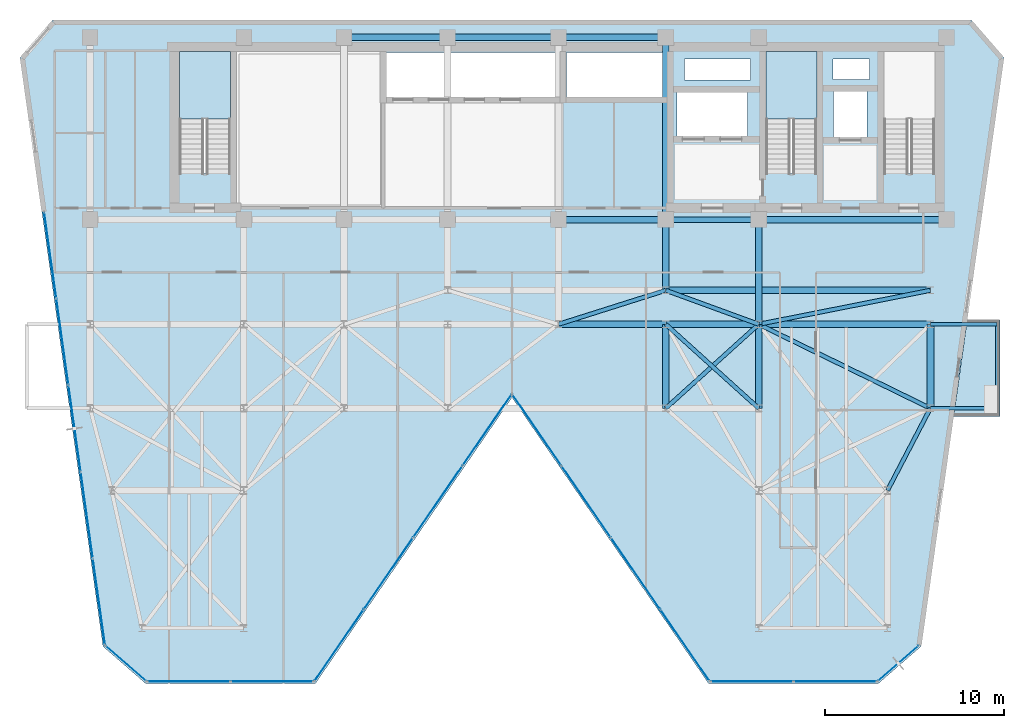
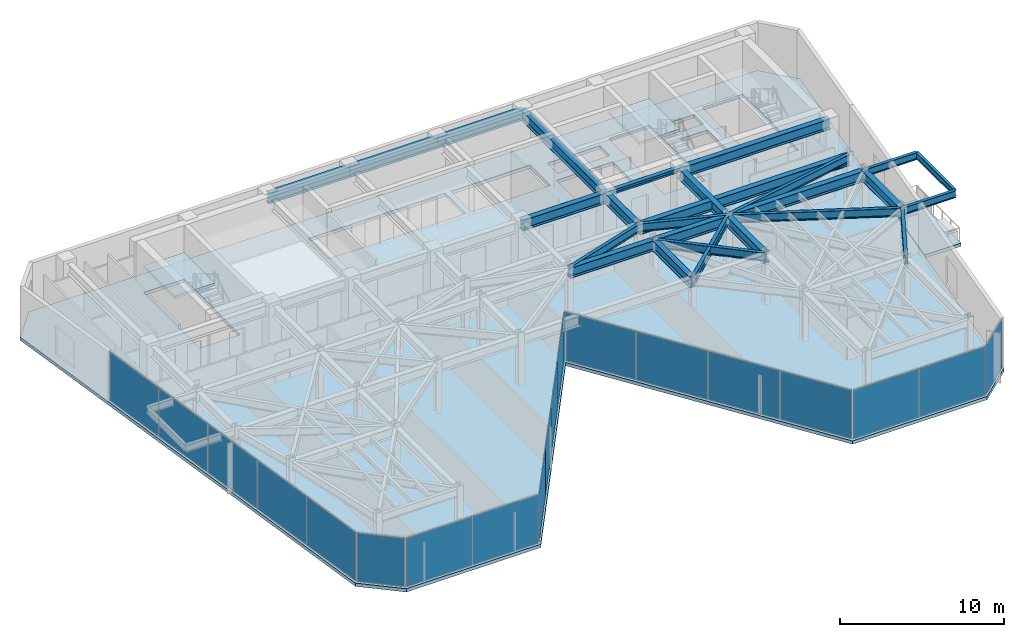
# One storey, part 21 of 26: 26 beams, 19 plates, 4 slabs, 9 elements without a shape of their own.
"""IFC4 building model written with IfcOpenShell, lengths in metres."""

from ifc_helpers import new_model, si_unit, direction, frame, origin, origin_2d, place, context, subcontext, project, spatial, polyline, rectangle, i_section, outline, extrude, material, layer, layer_set, material_profile, profile_set, type_object, element, aggregate, save


model = new_model("IFC4")

# Units and contexts
model_context = context("Model", 3, precision=1e-05, world=origin(), true_north=direction((0.0, 1.0)))
body_context = subcontext(model_context, "Body", "Model", "MODEL_VIEW")
ifc_project = project(units=[si_unit("LENGTHUNIT", "METRE"), si_unit("AREAUNIT", "SQUARE_METRE"), si_unit("VOLUMEUNIT", "CUBIC_METRE"), si_unit("PLANEANGLEUNIT", "RADIAN"), si_unit("MASSUNIT", "GRAM", prefix="KILO")], contexts=[model_context])

# Site, building, storey
site_placement = place(None, origin())
site = spatial("IfcSite", under=ifc_project, at=site_placement, CompositionType="ELEMENT")
building_placement = place(site_placement, origin())
building = spatial("IfcBuilding", under=site, at=building_placement, Name="Kravanh Interchange Tower", CompositionType="ELEMENT")
storey_placement = place(building_placement, frame((0.0, 0.0, 180.5)))
storey = spatial("IfcBuildingStorey", under=building, at=storey_placement, Name="L43", CompositionType="ELEMENT", Elevation=180.5)

# Beams
ifc_material_1 = material(Name="Structural Steel S355", Category="steel")
ifc_material_profile_1 = material_profile(ifc_material_1, i_section(OverallWidth=0.381103515625, OverallDepth=0.77294921875, WebThickness=0.0166015625, FlangeThickness=0.027099609375, FilletRadius=0.02490234375, at=origin_2d()), Name="W30X173")
ifc_profile_set_1 = profile_set([ifc_material_profile_1], Name="Structural Steel S355")
beam_type_1 = type_object("IfcBeamType", Name="Floor Beam W30X173 Structural Steel S355", PredefinedType="BEAM", material=ifc_profile_set_1)
beam_1_placement = place(storey_placement, frame((66.5, 37.35009765625, 3.368408203125), z_axis=(-1.0, 0.0, 0.0), x_axis=(0.0, -1.0, 0.0)))
element("IfcBeam", 1, at=beam_1_placement, inside=storey, type_object=beam_type_1, Name="L43 Primary Floor Girder 5", PredefinedType="BEAM", context=body_context, shape_type="SweptSolid", body=[
    extrude(i_section(OverallWidth=0.381103515625, OverallDepth=0.77294921875, WebThickness=0.0166015625, FlangeThickness=0.027099609375, FilletRadius=0.02490234375, at=origin_2d()), origin(), (0.0, 0.0, 1.0), 10.5),
])
beam_2_placement = place(storey_placement, frame((56.0, 37.35009765625, 3.368408203125), z_axis=(0.0, -1.0, 0.0), x_axis=(1.0, 0.0, 0.0)))
element("IfcBeam", 2, at=beam_2_placement, inside=storey, type_object=beam_type_1, Name="L43 Primary Floor Girder 7", PredefinedType="BEAM", context=body_context, shape_type="SweptSolid", body=[
    extrude(i_section(OverallWidth=0.381103515625, OverallDepth=0.77294921875, WebThickness=0.0166015625, FlangeThickness=0.027099609375, FilletRadius=0.02490234375, at=origin_2d()), origin(), (0.0, 0.0, 1.0), 5.85009765625),
])
beam_3_placement = place(storey_placement, frame((50.800048828125, 47.550048828125, 3.368408203125), z_axis=(-1.0, 0.0, 0.0), x_axis=(0.0, -1.0, 0.0)))
element("IfcBeam", 3, at=beam_3_placement, inside=storey, type_object=beam_type_1, Name="L43 Primary Floor Girder 8", PredefinedType="BEAM", context=body_context, shape_type="SweptSolid", body=[
    extrude(i_section(OverallWidth=0.381103515625, OverallDepth=0.77294921875, WebThickness=0.0166015625, FlangeThickness=0.027099609375, FilletRadius=0.02490234375, at=origin_2d()), origin(), (0.0, 0.0, 1.0), 6.0),
])
beam_4_placement = place(storey_placement, frame((50.800048828125, 47.550048828125, 3.368408203125), z_axis=(0.0, -1.0, 0.0), x_axis=(1.0, 0.0, 0.0)))
element("IfcBeam", 4, at=beam_4_placement, inside=storey, type_object=beam_type_1, Name="L43 Primary Floor Girder 9", PredefinedType="BEAM", context=body_context, shape_type="SweptSolid", body=[
    extrude(i_section(OverallWidth=0.381103515625, OverallDepth=0.77294921875, WebThickness=0.0166015625, FlangeThickness=0.027099609375, FilletRadius=0.02490234375, at=origin_2d()), origin(), (0.0, 0.0, 1.0), 10.199951171875),
])
beam_5_placement = place(storey_placement, frame((50.800048828125, 37.35009765625, 3.368408203125), z_axis=(0.0, -1.0, 0.0), x_axis=(1.0, 0.0, 0.0)))
element("IfcBeam", 5, at=beam_5_placement, inside=storey, type_object=beam_type_1, Name="L43 Primary Floor Girder 10", PredefinedType="BEAM", context=body_context, shape_type="SweptSolid", body=[
    extrude(i_section(OverallWidth=0.381103515625, OverallDepth=0.77294921875, WebThickness=0.0166015625, FlangeThickness=0.027099609375, FilletRadius=0.02490234375, at=origin_2d()), origin(), (0.0, 0.0, 1.0), 3.9501953125),
])
beam_6_placement = place(storey_placement, frame((50.800048828125, 37.35009765625, 3.368408203125), z_axis=(-1.0, 0.0, 0.0), x_axis=(0.0, -1.0, 0.0)))
element("IfcBeam", 6, at=beam_6_placement, inside=storey, type_object=beam_type_1, Name="L43 Primary Floor Girder 11", PredefinedType="BEAM", context=body_context, shape_type="SweptSolid", body=[
    extrude(i_section(OverallWidth=0.381103515625, OverallDepth=0.77294921875, WebThickness=0.0166015625, FlangeThickness=0.027099609375, FilletRadius=0.02490234375, at=origin_2d()), origin(), (0.0, 0.0, 1.0), 6.0),
])
beam_7_placement = place(storey_placement, frame((44.800048828125, 47.550048828125, 3.368408203125), z_axis=(-1.0, 0.0, 0.0), x_axis=(0.0, -1.0, 0.0)))
element("IfcBeam", 7, at=beam_7_placement, inside=storey, type_object=beam_type_1, Name="L43 Primary Floor Girder 15", PredefinedType="BEAM", context=body_context, shape_type="SweptSolid", body=[
    extrude(i_section(OverallWidth=0.381103515625, OverallDepth=0.77294921875, WebThickness=0.0166015625, FlangeThickness=0.027099609375, FilletRadius=0.02490234375, at=origin_2d()), origin(), (0.0, 0.0, 1.0), 6.199951171875),
])
beam_8_placement = place(storey_placement, frame((38.60009765625, 47.550048828125, 3.368408203125), z_axis=(-1.0, 0.0, 0.0), x_axis=(0.0, -1.0, 0.0)))
element("IfcBeam", 8, at=beam_8_placement, inside=storey, type_object=beam_type_1, Name="L43 Primary Floor Girder 19", PredefinedType="BEAM", context=body_context, shape_type="SweptSolid", body=[
    extrude(i_section(OverallWidth=0.381103515625, OverallDepth=0.77294921875, WebThickness=0.0166015625, FlangeThickness=0.027099609375, FilletRadius=0.02490234375, at=origin_2d()), origin(), (0.0, 0.0, 1.0), 5.800048828125),
])
for number, where, z_axis, x_axis, name in (
    (9, (50.800048828125, 26.800048828125, 3.368408203125), (0.0, 1.0, 0.0), (-1.0, 0.0, 0.0), "L43 Primary Floor Girder 49"),
    (10, (56.0, 26.800048828125, 3.368408203125), (0.0, 1.0, 0.0), (-1.0, 0.0, 0.0), "L43 Primary Floor Girder 54"),
    (11, (65.60009765625, 26.800048828125, 3.368408203125), (0.0, 1.0, 0.0), (-1.0, 0.0, 0.0), "L43 Primary Floor Girder 57"),
):
    element("IfcBeam", number, at=place(storey_placement, frame(where, z_axis=z_axis, x_axis=x_axis)), inside=storey, type_object=beam_type_1, Name=name, PredefinedType="BEAM", context=body_context, shape_type="SweptSolid", body=[
        extrude(i_section(OverallWidth=0.381103515625, OverallDepth=0.77294921875, WebThickness=0.0166015625, FlangeThickness=0.027099609375, FilletRadius=0.02490234375, at=origin_2d()), origin(), (0.0, 0.0, 1.0), 4.699951171875),
    ])
beam_9_placement = place(storey_placement, frame((44.800048828125, 31.5, 3.368408203125), z_axis=(1.0, 0.0, 0.0), x_axis=(0.0, 1.0, 0.0)))
element("IfcBeam", 12, at=beam_9_placement, inside=storey, type_object=beam_type_1, Name="L43 Primary Floor Girder 74", PredefinedType="BEAM", context=body_context, shape_type="SweptSolid", body=[
    extrude(i_section(OverallWidth=0.381103515625, OverallDepth=0.77294921875, WebThickness=0.0166015625, FlangeThickness=0.027099609375, FilletRadius=0.02490234375, at=origin_2d()), origin(), (0.0, 0.0, 1.0), 6.0),
])
beam_10_placement = place(storey_placement, frame((50.800048828125, 31.5, 3.368408203125), z_axis=(1.0, 0.0, 0.0), x_axis=(0.0, 1.0, 0.0)))
element("IfcBeam", 13, at=beam_10_placement, inside=storey, type_object=beam_type_1, Name="L43 Primary Floor Girder 77", PredefinedType="BEAM", context=body_context, shape_type="SweptSolid", body=[
    extrude(i_section(OverallWidth=0.381103515625, OverallDepth=0.77294921875, WebThickness=0.0166015625, FlangeThickness=0.027099609375, FilletRadius=0.02490234375, at=origin_2d()), origin(), (0.0, 0.0, 1.0), 5.199951171875),
])
beam_11_placement = place(storey_placement, frame((56.0, 31.5, 3.368408203125), z_axis=(1.0, 0.0, 0.0), x_axis=(0.0, 1.0, 0.0)))
element("IfcBeam", 14, at=beam_11_placement, inside=storey, type_object=beam_type_1, Name="L43 Primary Floor Girder 81", PredefinedType="BEAM", context=body_context, shape_type="SweptSolid", body=[
    extrude(i_section(OverallWidth=0.381103515625, OverallDepth=0.77294921875, WebThickness=0.0166015625, FlangeThickness=0.027099609375, FilletRadius=0.02490234375, at=origin_2d()), origin(), (0.0, 0.0, 1.0), 9.60009765625),
])
beam_12_placement = place(storey_placement, frame((50.800048828125, 33.39990234375, 3.368408203125), z_axis=(1.0, 0.0, 0.0), x_axis=(0.0, 1.0, 0.0)))
element("IfcBeam", 15, at=beam_12_placement, inside=storey, type_object=beam_type_1, Name="L43 Primary Floor Girder 95", PredefinedType="BEAM", context=body_context, shape_type="SweptSolid", body=[
    extrude(i_section(OverallWidth=0.381103515625, OverallDepth=0.77294921875, WebThickness=0.0166015625, FlangeThickness=0.027099609375, FilletRadius=0.02490234375, at=origin_2d()), origin(), (0.0, 0.0, 1.0), 14.800048828125),
])
ifc_material_2 = material(Name="Structural Steel S355", Category="steel")
ifc_material_profile_2 = material_profile(ifc_material_2, i_section(OverallWidth=0.18994140625, OverallDepth=0.45703125, WebThickness=0.009033203125, FlangeThickness=0.014404296875, FilletRadius=0.01806640625, at=origin_2d()), Name="W18X50")
ifc_profile_set_2 = profile_set([ifc_material_profile_2], Name="Structural Steel S355")
beam_type_2 = type_object("IfcBeamType", Name="Floor Joist W18X50 Structural Steel S355", PredefinedType="JOIST", material=ifc_profile_set_2)
beam_13_placement = place(storey_placement, frame((69.330078125, 26.800048828125, 3.526611328125), z_axis=(0.0, 1.0, 0.0), x_axis=(-1.0, 0.0, 0.0)))
element("IfcBeam", 16, at=beam_13_placement, inside=storey, type_object=beam_type_2, Name="L43 Balcony Edge Tie Beam E", PredefinedType="JOIST", context=body_context, shape_type="SweptSolid", body=[
    extrude(i_section(OverallWidth=0.18994140625, OverallDepth=0.45703125, WebThickness=0.009033203125, FlangeThickness=0.014404296875, FilletRadius=0.01806640625, at=origin_2d()), origin(), (0.0, 0.0, 1.0), 4.699951171875),
])
ifc_material_3 = material(Name="Structural Steel S355", Category="steel")
ifc_material_profile_3 = material_profile(ifc_material_3, i_section(OverallWidth=0.304931640625, OverallDepth=0.306884765625, WebThickness=0.010009765625, FlangeThickness=0.015380859375, FilletRadius=0.014892578125, at=origin_2d()), Name="W12X65")
ifc_profile_set_3 = profile_set([ifc_material_profile_3], Name="Structural Steel S355")
beam_type_3 = type_object("IfcBeamType", Name="Floor Lintel W12X65 Structural Steel S355", PredefinedType="LINTEL", material=ifc_profile_set_3)
beam_14_placement = place(storey_placement, frame((50.800048828125, 37.35009765625, 3.6015625), z_axis=(1.0, 0.0, 0.0), x_axis=(0.0, 1.0, 0.0)))
element("IfcBeam", 17, at=beam_14_placement, inside=storey, type_object=beam_type_3, Name="L43 Core Coupling Lintel 1", PredefinedType="LINTEL", context=body_context, shape_type="SweptSolid", body=[
    extrude(i_section(OverallWidth=0.304931640625, OverallDepth=0.306884765625, WebThickness=0.010009765625, FlangeThickness=0.015380859375, FilletRadius=0.014892578125, at=origin_2d()), origin(), (0.0, 0.0, 1.0), 5.199951171875),
])
ifc_material_4 = material(Name="Structural Steel S355", Category="steel")
ifc_material_profile_4 = material_profile(ifc_material_4, i_section(OverallWidth=0.2099609375, OverallDepth=0.537109375, WebThickness=0.010986328125, FlangeThickness=0.017333984375, FilletRadius=0.02001953125, at=origin_2d()), Name="W21X68")
ifc_profile_set_4 = profile_set([ifc_material_profile_4], Name="Structural Steel S355")
beam_type_4 = type_object("IfcBeamType", Name="Floor Spandrel W21X68 Structural Steel S355", PredefinedType="SPANDREL", material=ifc_profile_set_4)
for number, where, z_axis, x_axis, name in (
    (18, (65.60009765625, 26.800048828125, 3.486572265625), (1.0, 0.0, 0.0), (0.0, 1.0, 0.0), "L43 Balcony Cantilever Outrigger E1"),
    (19, (65.60009765625, 31.5, 3.486572265625), (1.0, 0.0, 0.0), (0.0, 1.0, 0.0), "L43 Balcony Cantilever Outrigger E2"),
):
    element("IfcBeam", number, at=place(storey_placement, frame(where, z_axis=z_axis, x_axis=x_axis)), inside=storey, type_object=beam_type_4, Name=name, PredefinedType="SPANDREL", context=body_context, shape_type="SweptSolid", body=[
        extrude(i_section(OverallWidth=0.2099609375, OverallDepth=0.537109375, WebThickness=0.010986328125, FlangeThickness=0.017333984375, FilletRadius=0.02001953125, at=origin_2d()), origin(), (0.0, 0.0, 1.0), 3.72998046875),
    ])
ifc_material_5 = material(Name="Structural Steel S355", Category="steel")
ifc_material_profile_5 = material_profile(ifc_material_5, i_section(OverallWidth=0.22802734375, OverallDepth=0.60791015625, WebThickness=0.01123046875, FlangeThickness=0.017333984375, FilletRadius=0.02197265625, at=origin_2d()), Name="W24X76")
ifc_profile_set_5 = profile_set([ifc_material_profile_5], Name="Structural Steel S355")
beam_type_5 = type_object("IfcBeamType", Name="Floor Spandrel W24X76 Structural Steel S355", PredefinedType="SPANDREL", material=ifc_profile_set_5)
for number, where, z_axis, x_axis, name in (
    (20, (50.800048828125, 26.800048828125, 3.450927734375), (0.741874009795, 0.670539300557, 0.0), (-0.670539300557, 0.741874009795, 0.0), "L43 Perimeter Spandrel 52"),
    (21, (56.0, 26.800048828125, 3.450927734375), (-0.741874009795, 0.670539300557, 0.0), (-0.670539300557, -0.741874009795, 0.0), "L43 Perimeter Spandrel 55"),
):
    element("IfcBeam", number, at=place(storey_placement, frame(where, z_axis=z_axis, x_axis=x_axis)), inside=storey, type_object=beam_type_5, Name=name, PredefinedType="SPANDREL", context=body_context, shape_type="SweptSolid", body=[
        extrude(i_section(OverallWidth=0.22802734375, OverallDepth=0.60791015625, WebThickness=0.01123046875, FlangeThickness=0.017333984375, FilletRadius=0.02197265625, at=origin_2d()), origin(), (0.0, 0.0, 1.0), 7.00927734375),
    ])
beam_15_placement = place(storey_placement, frame((65.60009765625, 26.800048828125, 3.450927734375), z_axis=(-0.462580479178, -0.886577295155, 0.0), x_axis=(0.886577295155, -0.462580479178, 0.0)))
element("IfcBeam", 22, at=beam_15_placement, inside=storey, type_object=beam_type_5, Name="L43 Perimeter Spandrel 58", PredefinedType="SPANDREL", context=body_context, shape_type="SweptSolid", body=[
    extrude(i_section(OverallWidth=0.22802734375, OverallDepth=0.60791015625, WebThickness=0.01123046875, FlangeThickness=0.017333984375, FilletRadius=0.02197265625, at=origin_2d()), origin(), (0.0, 0.0, 1.0), 5.188720703125),
])
beam_16_placement = place(storey_placement, frame((65.60009765625, 26.800048828125, 3.450927734375), z_axis=(-0.898141688387, 0.439706160499, 0.0), x_axis=(-0.439706160499, -0.898141688387, 0.0)))
element("IfcBeam", 23, at=beam_16_placement, inside=storey, type_object=beam_type_5, Name="L43 Perimeter Spandrel 60", PredefinedType="SPANDREL", context=body_context, shape_type="SweptSolid", body=[
    extrude(i_section(OverallWidth=0.22802734375, OverallDepth=0.60791015625, WebThickness=0.01123046875, FlangeThickness=0.017333984375, FilletRadius=0.02197265625, at=origin_2d()), origin(), (0.0, 0.0, 1.0), 10.68896484375),
])
beam_17_placement = place(storey_placement, frame((44.800048828125, 31.5, 3.450927734375), z_axis=(0.953346691051, 0.301877602122, 0.0), x_axis=(-0.301877602122, 0.953346691051, 0.0)))
element("IfcBeam", 24, at=beam_17_placement, inside=storey, type_object=beam_type_5, Name="L43 Perimeter Spandrel 75", PredefinedType="SPANDREL", context=body_context, shape_type="SweptSolid", body=[
    extrude(i_section(OverallWidth=0.22802734375, OverallDepth=0.60791015625, WebThickness=0.01123046875, FlangeThickness=0.017333984375, FilletRadius=0.02197265625, at=origin_2d()), origin(), (0.0, 0.0, 1.0), 6.293701171875),
])
beam_18_placement = place(storey_placement, frame((56.0, 31.5, 3.450927734375), z_axis=(-0.93926957103, 0.343180233896, 0.0), x_axis=(-0.343180233896, -0.93926957103, 0.0)))
element("IfcBeam", 25, at=beam_18_placement, inside=storey, type_object=beam_type_5, Name="L43 Perimeter Spandrel 80", PredefinedType="SPANDREL", context=body_context, shape_type="SweptSolid", body=[
    extrude(i_section(OverallWidth=0.22802734375, OverallDepth=0.60791015625, WebThickness=0.01123046875, FlangeThickness=0.017333984375, FilletRadius=0.02197265625, at=origin_2d()), origin(), (0.0, 0.0, 1.0), 5.5361328125),
])
beam_19_placement = place(storey_placement, frame((56.0, 31.5, 3.450927734375), z_axis=(0.980974000807, 0.194139150457, 0.0), x_axis=(-0.194139150457, 0.980974000807, 0.0)))
element("IfcBeam", 26, at=beam_19_placement, inside=storey, type_object=beam_type_5, Name="L43 Perimeter Spandrel 82", PredefinedType="SPANDREL", context=body_context, shape_type="SweptSolid", body=[
    extrude(i_section(OverallWidth=0.22802734375, OverallDepth=0.60791015625, WebThickness=0.01123046875, FlangeThickness=0.017333984375, FilletRadius=0.02197265625, at=origin_2d()), origin(), (0.0, 0.0, 1.0), 9.786376953125),
])

# Slab
ifc_material_6 = material(Name="Concrete C50/60", Category="concrete")
ifc_layer_1 = layer(ifc_material_6, 0.2451171875)
ifc_layer_set_1 = layer_set([ifc_layer_1], Name="Composite Floor Slab Concrete C50/60 245mm")
slab_type_1 = type_object("IfcSlabType", Name="Composite Floor Slab Concrete C50/60 245mm", PredefinedType="FLOOR", material=ifc_layer_set_1)
slab_1_placement = place(storey_placement, frame((0.0, 0.0, -0.2451171875)))
element("IfcSlab", 27, at=slab_1_placement, inside=storey, type_object=slab_type_1, Name="L43 Structural Floor Slab", PredefinedType="FLOOR", context=body_context, shape_type="SweptSolid", body=[
    extrude(outline(polyline([(19.32177734375, 13.4794921875), (21.714111328125, 11.39990234375), (31.199951171875, 11.39990234375), (42.199951171875, 27.39990234375), (53.199951171875, 11.39990234375), (62.685791015625, 11.39990234375), (65.078125, 13.4794921875), (69.707763671875, 46.42041015625), (67.89990234375, 48.5), (16.5, 48.5), (14.6923828125, 46.42041015625), (19.32177734375, 13.4794921875)]), holes=[polyline([(65.85009765625, 39.925048828125), (65.85009765625, 46.75), (63.0, 46.75), (63.0, 39.925048828125), (65.85009765625, 39.925048828125)]), polyline([(59.25, 39.925048828125), (59.25, 46.75), (56.39990234375, 46.75), (56.39990234375, 39.925048828125), (59.25, 39.925048828125)]), polyline([(26.449951171875, 39.925048828125), (26.449951171875, 46.75), (23.60009765625, 46.75), (23.60009765625, 39.925048828125), (26.449951171875, 39.925048828125)]), polyline([(35.179931640625, 44.219970703125), (44.840087890625, 44.219970703125), (44.840087890625, 46.699951171875), (35.179931640625, 46.699951171875), (35.179931640625, 44.219970703125)]), polyline([(45.239990234375, 44.219970703125), (50.840087890625, 44.219970703125), (50.840087890625, 46.699951171875), (45.239990234375, 46.699951171875), (45.239990234375, 44.219970703125)]), polyline([(51.419921875, 42.02001953125), (55.3798828125, 42.02001953125), (55.3798828125, 44.47998046875), (51.419921875, 44.47998046875), (51.419921875, 42.02001953125)]), polyline([(60.179931640625, 41.97998046875), (62.06005859375, 41.97998046875), (62.06005859375, 44.52001953125), (60.179931640625, 44.52001953125), (60.179931640625, 41.97998046875)]), polyline([(60.14990234375, 45.199951171875), (62.199951171875, 45.199951171875), (62.199951171875, 46.35009765625), (60.14990234375, 46.35009765625), (60.14990234375, 45.199951171875)]), polyline([(51.85009765625, 45.14990234375), (55.550048828125, 45.14990234375), (55.550048828125, 46.35009765625), (51.85009765625, 46.35009765625), (51.85009765625, 45.14990234375)])]), origin(), (0.0, 0.0, 1.0), 0.2451171875),
])

# Stair, slab
ifc_material_7 = material(Name="Concrete C50/60", Category="concrete")
stair_type = type_object("IfcStairType", Name="Core Fire Exit Dogleg Stair Concrete C50/60", PredefinedType="HALF_TURN_STAIR", material=ifc_material_7)
stair_1_placement = place(storey_placement, origin())
stair_1 = element("IfcStair", 28, at=stair_1_placement, inside=storey, type_object=stair_type, Name="L43 Exit Stair ST2", PredefinedType="HALF_TURN_STAIR")
ifc_material_8 = material(Name="Concrete C50/60", Category="concrete")
ifc_layer_2 = layer(ifc_material_8, 0.199951171875)
ifc_layer_set_2 = layer_set([ifc_layer_2], Name="Concrete C50/60 Stair Half-Landing Slab 200mm")
slab_type_2 = type_object("IfcSlabType", Name="Concrete C50/60 Stair Half-Landing Slab 200mm", PredefinedType="LANDING", material=ifc_layer_set_2)
slab_2_placement = place(storey_placement, frame((0.0, 0.0, 1.800048828125)))
slab_2 = element("IfcSlab", 29, at=slab_2_placement, type_object=slab_type_2, Name="ST2 landing 1", PredefinedType="LANDING", context=body_context, shape_type="SweptSolid", body=[
    extrude(outline(polyline([(59.25, 42.97998046875), (59.25, 46.75), (56.39990234375, 46.75), (56.39990234375, 42.97998046875), (59.25, 42.97998046875)])), origin(), (0.0, 0.0, 1.0), 0.199951171875),
])
aggregate(stair_1, [slab_2])

stair_2_placement = place(storey_placement, origin())
stair_2 = element("IfcStair", 30, at=stair_2_placement, inside=storey, type_object=stair_type, Name="L43 Exit Stair ST3", PredefinedType="HALF_TURN_STAIR")
slab_3_placement = place(storey_placement, frame((0.0, 0.0, 1.800048828125)))
slab_3 = element("IfcSlab", 31, at=slab_3_placement, type_object=slab_type_2, Name="ST3 landing 1", PredefinedType="LANDING", context=body_context, shape_type="SweptSolid", body=[
    extrude(outline(polyline([(26.449951171875, 42.97998046875), (26.449951171875, 46.75), (23.60009765625, 46.75), (23.60009765625, 42.97998046875), (26.449951171875, 42.97998046875)])), origin(), (0.0, 0.0, 1.0), 0.199951171875),
])
aggregate(stair_2, [slab_3])

# Curtain wall, plates
ifc_material_9 = material(Name="Anodised Bronze Aluminium", Category="aluminium")
ifc_layer_3 = layer(ifc_material_9, 0.179931640625)
ifc_layer_set_3 = layer_set([ifc_layer_3], Name="Unitised Curtain Wall System CW-Z3 Upper Office")
curtain_wall_type = type_object("IfcCurtainWallType", Name="Unitised Curtain Wall System CW-Z3 Upper Office", PredefinedType="NOTDEFINED", material=ifc_layer_set_3)
curtain_wall_1_placement = place(storey_placement, origin())
curtain_wall_1 = element("IfcCurtainWall", 32, at=curtain_wall_1_placement, inside=storey, type_object=curtain_wall_type, Name="L43 Unitised Curtain Wall CW-L43-01", PredefinedType="NOTDEFINED")
ifc_material_10 = material(Name="Low-E Laminated Architectural Glass", Category="glass")
ifc_layer_4 = layer(ifc_material_10, 0.02392578125)
ifc_layer_set_4 = layer_set([ifc_layer_4], Name="High-Selectivity Double Glazing 24mm")
plate_type = type_object("IfcPlateType", Name="High-Selectivity Double Glazing 24mm", PredefinedType="CURTAIN_PANEL", material=ifc_layer_set_4)
plate_1_placement = place(storey_placement, frame((19.09130859375, 15.9814453125, 0.06005859375), z_axis=(0.0, 0.0, 1.0), x_axis=(-0.139172209446, 0.990268194035, 0.0)))
plate_1 = element("IfcPlate", 33, at=plate_1_placement, type_object=plate_type, Name="CW-Z3 panel 1.1", PredefinedType="CURTAIN_PANEL", context=body_context, shape_type="SweptSolid", body=[
    extrude(rectangle(XDim=4.8095703125, YDim=0.02392578125, at=origin_2d()), origin(), (0.0, 0.0, 1.0), 3.635009765625),
])
plate_2_placement = place(storey_placement, frame((18.41162109375, 20.818603515625, 0.06005859375), z_axis=(0.0, 0.0, 1.0), x_axis=(-0.139172209446, 0.990268194035, 0.0)))
plate_2 = element("IfcPlate", 34, at=plate_2_placement, type_object=plate_type, Name="CW-Z3 panel 2.1", PredefinedType="CURTAIN_PANEL", context=body_context, shape_type="SweptSolid", body=[
    extrude(rectangle(XDim=4.839599609375, YDim=0.02392578125, at=origin_2d()), origin(), (0.0, 0.0, 1.0), 3.635009765625),
])
plate_3_placement = place(storey_placement, frame((17.729736328125, 25.67041015625, 0.06005859375), z_axis=(0.0, 0.0, 1.0), x_axis=(-0.139172209446, 0.990268194035, 0.0)))
plate_3 = element("IfcPlate", 35, at=plate_3_placement, type_object=plate_type, Name="CW-Z3 panel 3.1", PredefinedType="CURTAIN_PANEL", context=body_context, shape_type="SweptSolid", body=[
    extrude(rectangle(XDim=4.839599609375, YDim=0.02392578125, at=origin_2d()), origin(), (0.0, 0.0, 1.0), 3.635009765625),
])
plate_4_placement = place(storey_placement, frame((17.0478515625, 30.522216796875, 0.06005859375), z_axis=(0.0, 0.0, 1.0), x_axis=(-0.139172209446, 0.990268194035, 0.0)))
plate_4 = element("IfcPlate", 36, at=plate_4_placement, type_object=plate_type, Name="CW-Z3 panel 4.1", PredefinedType="CURTAIN_PANEL", context=body_context, shape_type="SweptSolid", body=[
    extrude(rectangle(XDim=4.839599609375, YDim=0.02392578125, at=origin_2d()), origin(), (0.0, 0.0, 1.0), 3.635009765625),
])
plate_5_placement = place(storey_placement, frame((16.367919921875, 35.359130859375, 0.06005859375), z_axis=(0.0, 0.0, 1.0), x_axis=(-0.139172209446, 0.990268194035, 0.0)))
plate_5 = element("IfcPlate", 37, at=plate_5_placement, type_object=plate_type, Name="CW-Z3 panel 5.1", PredefinedType="CURTAIN_PANEL", context=body_context, shape_type="SweptSolid", body=[
    extrude(rectangle(XDim=4.8095703125, YDim=0.02392578125, at=origin_2d()), origin(), (0.0, 0.0, 1.0), 3.635009765625),
])
aggregate(curtain_wall_1, [plate_1, plate_2, plate_3, plate_4, plate_5])

# Curtain wall, plate
curtain_wall_2_placement = place(storey_placement, origin())
curtain_wall_2 = element("IfcCurtainWall", 38, at=curtain_wall_2_placement, inside=storey, type_object=curtain_wall_type, Name="L43 Unitised Curtain Wall CW-L43-02", PredefinedType="NOTDEFINED")
plate_6_placement = place(storey_placement, frame((63.80322265625, 12.5302734375, 0.06005859375), z_axis=(0.0, 0.0, 1.0), x_axis=(-0.754716645379, -0.65605090137, 0.0)))
plate_6 = element("IfcPlate", 39, at=plate_6_placement, type_object=plate_type, Name="CW-Z3 panel 1.1", PredefinedType="CURTAIN_PANEL", context=body_context, shape_type="SweptSolid", body=[
    extrude(rectangle(XDim=2.960205078125, YDim=0.02392578125, at=origin_2d()), origin(), (0.0, 0.0, 1.0), 3.635009765625),
])
aggregate(curtain_wall_2, [plate_6])

# Curtain wall, plates
curtain_wall_3_placement = place(storey_placement, origin())
curtain_wall_3 = element("IfcCurtainWall", 40, at=curtain_wall_3_placement, inside=storey, type_object=curtain_wall_type, Name="L43 Unitised Curtain Wall CW-L43-03", PredefinedType="NOTDEFINED")
plate_7_placement = place(storey_placement, frame((60.281494140625, 11.52001953125, 0.06005859375), z_axis=(0.0, 0.0, 1.0), x_axis=(-1.0, 0.0, 0.0)))
plate_7 = element("IfcPlate", 41, at=plate_7_placement, type_object=plate_type, Name="CW-Z3 panel 1.1", PredefinedType="CURTAIN_PANEL", context=body_context, shape_type="SweptSolid", body=[
    extrude(rectangle(XDim=4.598876953125, YDim=0.02392578125, at=origin_2d()), origin(), (0.0, 0.0, 1.0), 3.635009765625),
])
plate_8_placement = place(storey_placement, frame((55.62255859375, 11.52001953125, 0.06005859375), z_axis=(0.0, 0.0, 1.0), x_axis=(-1.0, 0.0, 0.0)))
plate_8 = element("IfcPlate", 42, at=plate_8_placement, type_object=plate_type, Name="CW-Z3 panel 2.1", PredefinedType="CURTAIN_PANEL", context=body_context, shape_type="SweptSolid", body=[
    extrude(rectangle(XDim=4.598876953125, YDim=0.02392578125, at=origin_2d()), origin(), (0.0, 0.0, 1.0), 3.635009765625),
])
aggregate(curtain_wall_3, [plate_7, plate_8])

curtain_wall_4_placement = place(storey_placement, origin())
curtain_wall_4 = element("IfcCurtainWall", 43, at=curtain_wall_4_placement, inside=storey, type_object=curtain_wall_type, Name="L43 Unitised Curtain Wall CW-L43-04", PredefinedType="NOTDEFINED")
plate_9_placement = place(storey_placement, frame((51.871826171875, 13.5439453125, 0.06005859375), z_axis=(0.0, 0.0, 1.0), x_axis=(-0.566528388217, 0.824042223035, 0.0)))
plate_9 = element("IfcPlate", 44, at=plate_9_placement, type_object=plate_type, Name="CW-Z3 panel 1.1", PredefinedType="CURTAIN_PANEL", context=body_context, shape_type="SweptSolid", body=[
    extrude(rectangle(XDim=4.7919921875, YDim=0.02392578125, at=origin_2d()), origin(), (0.0, 0.0, 1.0), 3.635009765625),
])
plate_10_placement = place(storey_placement, frame((49.114501953125, 17.554443359375, 0.06005859375), z_axis=(0.0, 0.0, 1.0), x_axis=(-0.566528388217, 0.824042223035, 0.0)))
plate_10 = element("IfcPlate", 45, at=plate_10_placement, type_object=plate_type, Name="CW-Z3 panel 2.1", PredefinedType="CURTAIN_PANEL", context=body_context, shape_type="SweptSolid", body=[
    extrude(rectangle(XDim=4.822021484375, YDim=0.02392578125, at=origin_2d()), origin(), (0.0, 0.0, 1.0), 3.635009765625),
])
plate_11_placement = place(storey_placement, frame((46.3486328125, 21.577392578125, 0.06005859375), z_axis=(0.0, 0.0, 1.0), x_axis=(-0.566528388217, 0.824042223035, 0.0)))
plate_11 = element("IfcPlate", 46, at=plate_11_placement, type_object=plate_type, Name="CW-Z3 panel 3.1", PredefinedType="CURTAIN_PANEL", context=body_context, shape_type="SweptSolid", body=[
    extrude(rectangle(XDim=4.822021484375, YDim=0.02392578125, at=origin_2d()), origin(), (0.0, 0.0, 1.0), 3.635009765625),
])
plate_12_placement = place(storey_placement, frame((43.59130859375, 25.587890625, 0.06005859375), z_axis=(0.0, 0.0, 1.0), x_axis=(-0.566528388217, 0.824042223035, 0.0)))
plate_12 = element("IfcPlate", 47, at=plate_12_placement, type_object=plate_type, Name="CW-Z3 panel 4.1", PredefinedType="CURTAIN_PANEL", context=body_context, shape_type="SweptSolid", body=[
    extrude(rectangle(XDim=4.7919921875, YDim=0.02392578125, at=origin_2d()), origin(), (0.0, 0.0, 1.0), 3.635009765625),
])
aggregate(curtain_wall_4, [plate_9, plate_10, plate_11, plate_12])

curtain_wall_5_placement = place(storey_placement, origin())
curtain_wall_5 = element("IfcCurtainWall", 48, at=curtain_wall_5_placement, inside=storey, type_object=curtain_wall_type, Name="L43 Unitised Curtain Wall CW-L43-05", PredefinedType="NOTDEFINED")
plate_13_placement = place(storey_placement, frame((40.80859375, 25.587890625, 0.06005859375), z_axis=(0.0, 0.0, 1.0), x_axis=(-0.566528388217, -0.824042223035, 0.0)))
plate_13 = element("IfcPlate", 49, at=plate_13_placement, type_object=plate_type, Name="CW-Z3 panel 1.1", PredefinedType="CURTAIN_PANEL", context=body_context, shape_type="SweptSolid", body=[
    extrude(rectangle(XDim=4.7919921875, YDim=0.02392578125, at=origin_2d()), origin(), (0.0, 0.0, 1.0), 3.635009765625),
])
plate_14_placement = place(storey_placement, frame((38.05126953125, 21.577392578125, 0.06005859375), z_axis=(0.0, 0.0, 1.0), x_axis=(-0.566528388217, -0.824042223035, 0.0)))
plate_14 = element("IfcPlate", 50, at=plate_14_placement, type_object=plate_type, Name="CW-Z3 panel 2.1", PredefinedType="CURTAIN_PANEL", context=body_context, shape_type="SweptSolid", body=[
    extrude(rectangle(XDim=4.822021484375, YDim=0.02392578125, at=origin_2d()), origin(), (0.0, 0.0, 1.0), 3.635009765625),
])
plate_15_placement = place(storey_placement, frame((35.28564453125, 17.554443359375, 0.06005859375), z_axis=(0.0, 0.0, 1.0), x_axis=(-0.566528388217, -0.824042223035, 0.0)))
plate_15 = element("IfcPlate", 51, at=plate_15_placement, type_object=plate_type, Name="CW-Z3 panel 3.1", PredefinedType="CURTAIN_PANEL", context=body_context, shape_type="SweptSolid", body=[
    extrude(rectangle(XDim=4.822021484375, YDim=0.02392578125, at=origin_2d()), origin(), (0.0, 0.0, 1.0), 3.635009765625),
])
plate_16_placement = place(storey_placement, frame((32.5283203125, 13.5439453125, 0.06005859375), z_axis=(0.0, 0.0, 1.0), x_axis=(-0.566528388217, -0.824042223035, 0.0)))
plate_16 = element("IfcPlate", 52, at=plate_16_placement, type_object=plate_type, Name="CW-Z3 panel 4.1", PredefinedType="CURTAIN_PANEL", context=body_context, shape_type="SweptSolid", body=[
    extrude(rectangle(XDim=4.7919921875, YDim=0.02392578125, at=origin_2d()), origin(), (0.0, 0.0, 1.0), 3.635009765625),
])
aggregate(curtain_wall_5, [plate_13, plate_14, plate_15, plate_16])

curtain_wall_6_placement = place(storey_placement, origin())
curtain_wall_6 = element("IfcCurtainWall", 53, at=curtain_wall_6_placement, inside=storey, type_object=curtain_wall_type, Name="L43 Unitised Curtain Wall CW-L43-06", PredefinedType="NOTDEFINED")
plate_17_placement = place(storey_placement, frame((28.77734375, 11.52001953125, 0.06005859375), z_axis=(0.0, 0.0, 1.0), x_axis=(-1.0, 0.0, 0.0)))
plate_17 = element("IfcPlate", 54, at=plate_17_placement, type_object=plate_type, Name="CW-Z3 panel 1.1", PredefinedType="CURTAIN_PANEL", context=body_context, shape_type="SweptSolid", body=[
    extrude(rectangle(XDim=4.598876953125, YDim=0.02392578125, at=origin_2d()), origin(), (0.0, 0.0, 1.0), 3.635009765625),
])
plate_18_placement = place(storey_placement, frame((24.118408203125, 11.52001953125, 0.06005859375), z_axis=(0.0, 0.0, 1.0), x_axis=(-1.0, 0.0, 0.0)))
plate_18 = element("IfcPlate", 55, at=plate_18_placement, type_object=plate_type, Name="CW-Z3 panel 2.1", PredefinedType="CURTAIN_PANEL", context=body_context, shape_type="SweptSolid", body=[
    extrude(rectangle(XDim=4.598876953125, YDim=0.02392578125, at=origin_2d()), origin(), (0.0, 0.0, 1.0), 3.635009765625),
])
aggregate(curtain_wall_6, [plate_17, plate_18])

# Curtain wall, plate
curtain_wall_7_placement = place(storey_placement, origin())
curtain_wall_7 = element("IfcCurtainWall", 56, at=curtain_wall_7_placement, inside=storey, type_object=curtain_wall_type, Name="L43 Unitised Curtain Wall CW-L43-07", PredefinedType="NOTDEFINED")
plate_19_placement = place(storey_placement, frame((20.5966796875, 12.5302734375, 0.06005859375), z_axis=(0.0, 0.0, 1.0), x_axis=(-0.754716645379, 0.65605090137, 0.0)))
plate_19 = element("IfcPlate", 57, at=plate_19_placement, type_object=plate_type, Name="CW-Z3 panel 1.1", PredefinedType="CURTAIN_PANEL", context=body_context, shape_type="SweptSolid", body=[
    extrude(rectangle(XDim=2.960205078125, YDim=0.02392578125, at=origin_2d()), origin(), (0.0, 0.0, 1.0), 3.635009765625),
])
aggregate(curtain_wall_7, [plate_19])

# Slab
ifc_material_11 = material(Name="Concrete C50/60", Category="concrete")
ifc_layer_5 = layer(ifc_material_11, 0.199951171875)
ifc_layer_set_5 = layer_set([ifc_layer_5], Name="Planted Tree Balcony Slab Concrete C50/60 200mm")
slab_type_3 = type_object("IfcSlabType", Name="Planted Tree Balcony Slab Concrete C50/60 200mm", PredefinedType="USERDEFINED", material=ifc_layer_set_5)
slab_4_placement = place(storey_placement, frame((0.0, 0.0, -0.2451171875)))
element("IfcSlab", 58, at=slab_4_placement, inside=storey, type_object=slab_type_3, Name="L43 East Tree Planter Balcony Slab", ObjectType="BALCONY", PredefinedType="USERDEFINED", context=body_context, shape_type="SweptSolid", body=[
    extrude(outline(polyline([(69.489990234375, 31.75), (69.489990234375, 26.35009765625), (66.902099609375, 26.35009765625), (67.6611328125, 31.75), (69.489990234375, 31.75)])), origin(), (0.0, 0.0, 1.0), 0.2451171875),
])

save(model, "model.ifc")
